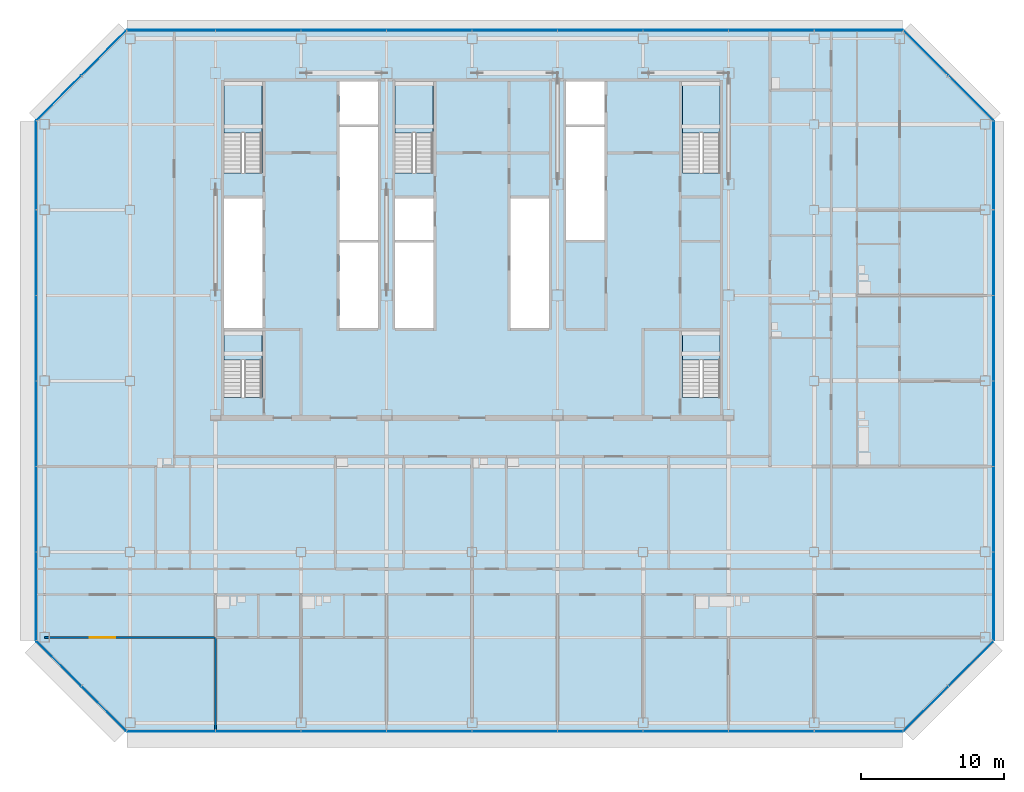
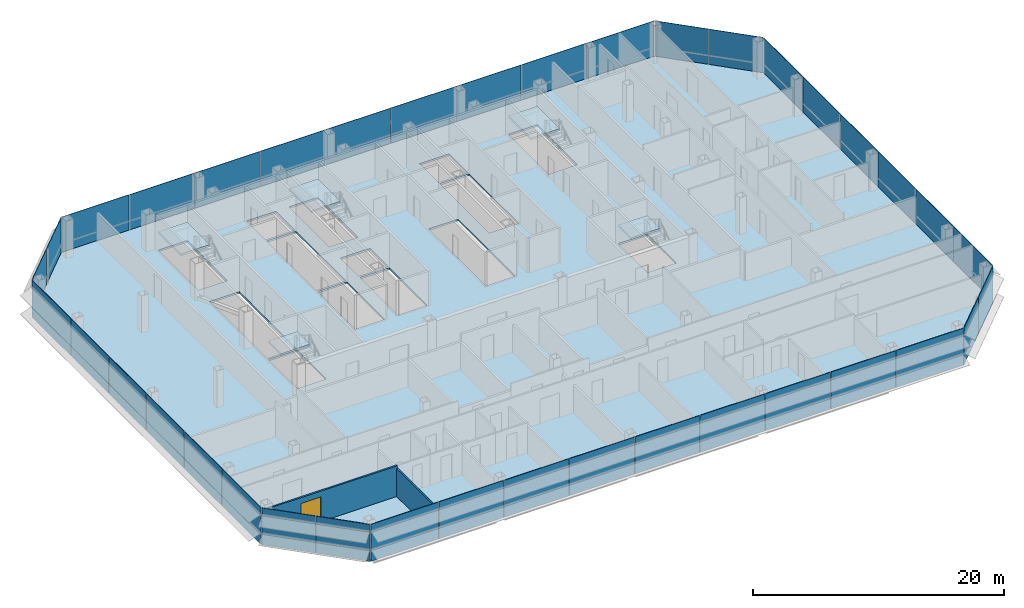
# One storey, part 18 of 26: 38 plates, 6 slabs, 2 walls, 1 door, 1 opening, 13 elements without a shape of their own.
"""IFC4 building model written with IfcOpenShell, lengths in metres."""

from ifc_helpers import new_model, si_unit, direction, frame, frame_2d, origin, origin_2d, place, context, subcontext, project, spatial, polyline, rectangle, outline, extrude, material, layer, layer_set, type_object, element, fill, aggregate, save


model = new_model("IFC4")

# Units and contexts
model_context = context("Model", 3, precision=1e-05, world=origin(), true_north=direction((0.0, 1.0)))
body_context = subcontext(model_context, "Body", "Model", "MODEL_VIEW")
ifc_project = project(units=[si_unit("LENGTHUNIT", "METRE"), si_unit("AREAUNIT", "SQUARE_METRE"), si_unit("VOLUMEUNIT", "CUBIC_METRE"), si_unit("PLANEANGLEUNIT", "RADIAN"), si_unit("MASSUNIT", "GRAM", prefix="KILO")], contexts=[model_context])

# Site, building, storey
site_placement = place(None, origin())
site = spatial("IfcSite", under=ifc_project, at=site_placement, CompositionType="ELEMENT")
building_placement = place(site_placement, origin())
building = spatial("IfcBuilding", under=site, at=building_placement, Name="Sorahane Residences", CompositionType="ELEMENT")
storey_placement = place(building_placement, frame((0.0, 0.0, 154.60009765625)))
storey = spatial("IfcBuildingStorey", under=building, at=storey_placement, Name="L35", CompositionType="ELEMENT", Elevation=154.60009765625)

# Slab
ifc_material_1 = material(Name="Concrete C35", Category="concrete")
ifc_layer_1 = layer(ifc_material_1, 0.179931640625)
ifc_layer_set_1 = layer_set([ifc_layer_1], Name="Composite floor slab 180 mm Concrete C35")
slab_type_1 = type_object("IfcSlabType", Name="Composite floor slab 180 mm Concrete C35", PredefinedType="FLOOR", material=ifc_layer_set_1)
slab_1_placement = place(storey_placement, frame((0.0, 0.0, -0.18017578125)))
element("IfcSlab", 1, at=slab_1_placement, inside=storey, type_object=slab_type_1, Name="Slab L35", PredefinedType="FLOOR", context=body_context, shape_type="SweptSolid", body=[
    extrude(outline(polyline([(-0.24853515625, -0.60009765625), (-6.60009765625, 5.75146484375), (-6.60009765625, 42.24853515625), (-0.24853515625, 48.60009765625), (54.24853515625, 48.60009765625), (60.60009765625, 42.24853515625), (60.60009765625, 5.75146484375), (54.24853515625, -0.60009765625), (-0.24853515625, -0.60009765625)]), holes=[polyline([(18.60009765625, 27.699951171875), (21.300048828125, 27.699951171875), (21.300048828125, 33.699951171875), (18.60009765625, 33.699951171875), (18.60009765625, 27.699951171875)]), polyline([(30.60009765625, 42.0), (33.300048828125, 42.0), (33.300048828125, 45.0), (30.60009765625, 45.0), (30.60009765625, 42.0)]), polyline([(14.699951171875, 27.699951171875), (17.39990234375, 27.699951171875), (17.39990234375, 33.699951171875), (14.699951171875, 33.699951171875), (14.699951171875, 27.699951171875)]), polyline([(14.699951171875, 42.0), (17.39990234375, 42.0), (17.39990234375, 45.0), (14.699951171875, 45.0), (14.699951171875, 42.0)]), polyline([(6.60009765625, 27.699951171875), (9.300048828125, 27.699951171875), (9.300048828125, 36.800048828125), (6.60009765625, 36.800048828125), (6.60009765625, 27.699951171875)]), polyline([(9.25, 38.60009765625), (9.25, 45.0), (6.60009765625, 45.0), (6.60009765625, 38.60009765625), (9.25, 38.60009765625)]), polyline([(41.39990234375, 38.60009765625), (41.39990234375, 45.0), (38.75, 45.0), (38.75, 38.60009765625), (41.39990234375, 38.60009765625)]), polyline([(21.25, 38.60009765625), (21.25, 45.0), (18.60009765625, 45.0), (18.60009765625, 38.60009765625), (21.25, 38.60009765625)]), polyline([(9.25, 22.85009765625), (9.25, 27.5), (6.60009765625, 27.5), (6.60009765625, 22.85009765625), (9.25, 22.85009765625)]), polyline([(41.39990234375, 22.85009765625), (41.39990234375, 27.5), (38.75, 27.5), (38.75, 22.85009765625), (41.39990234375, 22.85009765625)]), polyline([(14.699951171875, 33.89990234375), (17.39990234375, 33.89990234375), (17.39990234375, 41.800048828125), (14.699951171875, 41.800048828125), (14.699951171875, 33.89990234375)]), polyline([(30.60009765625, 33.89990234375), (33.300048828125, 33.89990234375), (33.300048828125, 41.800048828125), (30.60009765625, 41.800048828125), (30.60009765625, 33.89990234375)]), polyline([(18.60009765625, 33.89990234375), (21.300048828125, 33.89990234375), (21.300048828125, 36.800048828125), (18.60009765625, 36.800048828125), (18.60009765625, 33.89990234375)]), polyline([(26.699951171875, 27.699951171875), (29.39990234375, 27.699951171875), (29.39990234375, 36.800048828125), (26.699951171875, 36.800048828125), (26.699951171875, 27.699951171875)])]), origin(), (0.0, 0.0, 1.0), 0.18017578125),
])

# Curtain wall, plates
ifc_material_2 = material(Name="Dark low-e glass and black anodised aluminium", Category="aluminium")
curtain_wall_type_1 = type_object("IfcCurtainWallType", Name="Curtain wall CW-1 Typical unitised wall", PredefinedType="NOTDEFINED", material=ifc_material_2)
curtain_wall_1_placement = place(storey_placement, origin())
curtain_wall_1 = element("IfcCurtainWall", 2, at=curtain_wall_1_placement, inside=storey, type_object=curtain_wall_type_1, Name="CW-1 curtain wall L35 S1", PredefinedType="NOTDEFINED")
ifc_material_3 = material(Name="Dark low-e glass with black ceramic frit", Category="glass")
ifc_layer_2 = layer(ifc_material_3, 0.0400390625)
ifc_layer_set_2 = layer_set([ifc_layer_2], Name="Curtain wall glass panel dark low-e with black frit spandrel band")
plate_type = type_object("IfcPlateType", Name="Curtain wall glass panel dark low-e with black frit spandrel band", PredefinedType="CURTAIN_PANEL", material=ifc_layer_set_2)
plate_1_placement = place(storey_placement, frame((2.88818359375, -0.60009765625, -0.18017578125), z_axis=(0.0, 0.0, 1.0), x_axis=(1.0, 0.0, 0.0)))
plate_1 = element("IfcPlate", 3, at=plate_1_placement, type_object=plate_type, Name="CW-1 glass panel L35 S1.1", PredefinedType="CURTAIN_PANEL", context=body_context, shape_type="SweptSolid", body=[
    extrude(rectangle(XDim=6.173583984375, YDim=0.0400390625, at=origin_2d()), origin(), (0.0, 0.0, 1.0), 3.60009765625),
])
plate_2_placement = place(storey_placement, frame((9.0, -0.60009765625, -0.18017578125), z_axis=(0.0, 0.0, 1.0), x_axis=(1.0, 0.0, 0.0)))
plate_2 = element("IfcPlate", 4, at=plate_2_placement, type_object=plate_type, Name="CW-1 glass panel L35 S1.2", PredefinedType="CURTAIN_PANEL", context=body_context, shape_type="SweptSolid", body=[
    extrude(rectangle(XDim=5.949951171875, YDim=0.0400390625, at=origin_2d()), origin(), (0.0, 0.0, 1.0), 3.60009765625),
])
plate_3_placement = place(storey_placement, frame((15.0, -0.60009765625, -0.18017578125), z_axis=(0.0, 0.0, 1.0), x_axis=(1.0, 0.0, 0.0)))
plate_3 = element("IfcPlate", 5, at=plate_3_placement, type_object=plate_type, Name="CW-1 glass panel L35 S1.3", PredefinedType="CURTAIN_PANEL", context=body_context, shape_type="SweptSolid", body=[
    extrude(rectangle(XDim=5.949951171875, YDim=0.0400390625, at=origin_2d()), origin(), (0.0, 0.0, 1.0), 3.60009765625),
])
plate_4_placement = place(storey_placement, frame((21.0, -0.60009765625, -0.18017578125), z_axis=(0.0, 0.0, 1.0), x_axis=(1.0, 0.0, 0.0)))
plate_4 = element("IfcPlate", 6, at=plate_4_placement, type_object=plate_type, Name="CW-1 glass panel L35 S1.4", PredefinedType="CURTAIN_PANEL", context=body_context, shape_type="SweptSolid", body=[
    extrude(rectangle(XDim=5.949951171875, YDim=0.0400390625, at=origin_2d()), origin(), (0.0, 0.0, 1.0), 3.60009765625),
])
plate_5_placement = place(storey_placement, frame((27.0, -0.60009765625, -0.18017578125), z_axis=(0.0, 0.0, 1.0), x_axis=(1.0, 0.0, 0.0)))
plate_5 = element("IfcPlate", 7, at=plate_5_placement, type_object=plate_type, Name="CW-1 glass panel L35 S1.5", PredefinedType="CURTAIN_PANEL", context=body_context, shape_type="SweptSolid", body=[
    extrude(rectangle(XDim=5.949951171875, YDim=0.0400390625, at=origin_2d()), origin(), (0.0, 0.0, 1.0), 3.60009765625),
])
plate_6_placement = place(storey_placement, frame((33.0, -0.60009765625, -0.18017578125), z_axis=(0.0, 0.0, 1.0), x_axis=(1.0, 0.0, 0.0)))
plate_6 = element("IfcPlate", 8, at=plate_6_placement, type_object=plate_type, Name="CW-1 glass panel L35 S1.6", PredefinedType="CURTAIN_PANEL", context=body_context, shape_type="SweptSolid", body=[
    extrude(rectangle(XDim=5.949951171875, YDim=0.0400390625, at=origin_2d()), origin(), (0.0, 0.0, 1.0), 3.60009765625),
])
plate_7_placement = place(storey_placement, frame((39.0, -0.60009765625, -0.18017578125), z_axis=(0.0, 0.0, 1.0), x_axis=(1.0, 0.0, 0.0)))
plate_7 = element("IfcPlate", 9, at=plate_7_placement, type_object=plate_type, Name="CW-1 glass panel L35 S1.7", PredefinedType="CURTAIN_PANEL", context=body_context, shape_type="SweptSolid", body=[
    extrude(rectangle(XDim=5.949951171875, YDim=0.0400390625, at=origin_2d()), origin(), (0.0, 0.0, 1.0), 3.60009765625),
])
plate_8_placement = place(storey_placement, frame((45.0, -0.60009765625, -0.18017578125), z_axis=(0.0, 0.0, 1.0), x_axis=(1.0, 0.0, 0.0)))
plate_8 = element("IfcPlate", 10, at=plate_8_placement, type_object=plate_type, Name="CW-1 glass panel L35 S1.8", PredefinedType="CURTAIN_PANEL", context=body_context, shape_type="SweptSolid", body=[
    extrude(rectangle(XDim=5.949951171875, YDim=0.0400390625, at=origin_2d()), origin(), (0.0, 0.0, 1.0), 3.60009765625),
])
plate_9_placement = place(storey_placement, frame((51.11181640625, -0.60009765625, -0.18017578125), z_axis=(0.0, 0.0, 1.0), x_axis=(1.0, 0.0, 0.0)))
plate_9 = element("IfcPlate", 11, at=plate_9_placement, type_object=plate_type, Name="CW-1 glass panel L35 S1.9", PredefinedType="CURTAIN_PANEL", context=body_context, shape_type="SweptSolid", body=[
    extrude(rectangle(XDim=6.173583984375, YDim=0.0400390625, at=origin_2d()), origin(), (0.0, 0.0, 1.0), 3.60009765625),
])
aggregate(curtain_wall_1, [plate_1, plate_2, plate_3, plate_4, plate_5, plate_6, plate_7, plate_8, plate_9])

ifc_material_4 = material(Name="Dark low-e glass and black anodised aluminium", Category="aluminium")
curtain_wall_type_2 = type_object("IfcCurtainWallType", Name="Curtain wall CW-2 Chamfer unitised wall", PredefinedType="NOTDEFINED", material=ifc_material_4)
curtain_wall_2_placement = place(storey_placement, origin())
curtain_wall_2 = element("IfcCurtainWall", 12, at=curtain_wall_2_placement, inside=storey, type_object=curtain_wall_type_2, Name="CW-2 curtain wall L35 SE1", PredefinedType="NOTDEFINED")
plate_10_placement = place(storey_placement, frame((55.84521484375, 0.996826171875, -0.18017578125), z_axis=(0.0, 0.0, 1.0), x_axis=(0.707106781187, 0.707106781187, 0.0)))
plate_10 = element("IfcPlate", 13, at=plate_10_placement, type_object=plate_type, Name="CW-2 glass panel L35 SE1.1", PredefinedType="CURTAIN_PANEL", context=body_context, shape_type="SweptSolid", body=[
    extrude(rectangle(XDim=4.416259765625, YDim=0.0400390625, at=origin_2d()), origin(), (0.0, 0.0, 1.0), 3.60009765625),
])
plate_11_placement = place(storey_placement, frame((59.003173828125, 4.15478515625, -0.18017578125), z_axis=(0.0, 0.0, 1.0), x_axis=(0.707106781187, 0.707106781187, 0.0)))
plate_11 = element("IfcPlate", 14, at=plate_11_placement, type_object=plate_type, Name="CW-2 glass panel L35 SE1.2", PredefinedType="CURTAIN_PANEL", context=body_context, shape_type="SweptSolid", body=[
    extrude(rectangle(XDim=4.416259765625, YDim=0.0400390625, at=origin_2d()), origin(), (0.0, 0.0, 1.0), 3.60009765625),
])
aggregate(curtain_wall_2, [plate_10, plate_11])

curtain_wall_3_placement = place(storey_placement, origin())
curtain_wall_3 = element("IfcCurtainWall", 15, at=curtain_wall_3_placement, inside=storey, type_object=curtain_wall_type_1, Name="CW-1 curtain wall L35 E1", PredefinedType="NOTDEFINED")
plate_12_placement = place(storey_placement, frame((60.60009765625, 8.88818359375, -0.18017578125), z_axis=(0.0, 0.0, 1.0), x_axis=(0.0, 1.0, 0.0)))
plate_12 = element("IfcPlate", 16, at=plate_12_placement, type_object=plate_type, Name="CW-1 glass panel L35 E1.1", PredefinedType="CURTAIN_PANEL", context=body_context, shape_type="SweptSolid", body=[
    extrude(rectangle(XDim=6.173583984375, YDim=0.0400390625, at=origin_2d()), origin(), (0.0, 0.0, 1.0), 3.60009765625),
])
plate_13_placement = place(storey_placement, frame((60.60009765625, 15.0, -0.18017578125), z_axis=(0.0, 0.0, 1.0), x_axis=(0.0, 1.0, 0.0)))
plate_13 = element("IfcPlate", 17, at=plate_13_placement, type_object=plate_type, Name="CW-1 glass panel L35 E1.2", PredefinedType="CURTAIN_PANEL", context=body_context, shape_type="SweptSolid", body=[
    extrude(rectangle(XDim=5.949951171875, YDim=0.0400390625, at=origin_2d()), origin(), (0.0, 0.0, 1.0), 3.60009765625),
])
plate_14_placement = place(storey_placement, frame((60.60009765625, 21.0, -0.18017578125), z_axis=(0.0, 0.0, 1.0), x_axis=(0.0, 1.0, 0.0)))
plate_14 = element("IfcPlate", 18, at=plate_14_placement, type_object=plate_type, Name="CW-1 glass panel L35 E1.3", PredefinedType="CURTAIN_PANEL", context=body_context, shape_type="SweptSolid", body=[
    extrude(rectangle(XDim=5.949951171875, YDim=0.0400390625, at=origin_2d()), origin(), (0.0, 0.0, 1.0), 3.60009765625),
])
plate_15_placement = place(storey_placement, frame((60.60009765625, 27.0, -0.18017578125), z_axis=(0.0, 0.0, 1.0), x_axis=(0.0, 1.0, 0.0)))
plate_15 = element("IfcPlate", 19, at=plate_15_placement, type_object=plate_type, Name="CW-1 glass panel L35 E1.4", PredefinedType="CURTAIN_PANEL", context=body_context, shape_type="SweptSolid", body=[
    extrude(rectangle(XDim=5.949951171875, YDim=0.0400390625, at=origin_2d()), origin(), (0.0, 0.0, 1.0), 3.60009765625),
])
plate_16_placement = place(storey_placement, frame((60.60009765625, 33.0, -0.18017578125), z_axis=(0.0, 0.0, 1.0), x_axis=(0.0, 1.0, 0.0)))
plate_16 = element("IfcPlate", 20, at=plate_16_placement, type_object=plate_type, Name="CW-1 glass panel L35 E1.5", PredefinedType="CURTAIN_PANEL", context=body_context, shape_type="SweptSolid", body=[
    extrude(rectangle(XDim=5.949951171875, YDim=0.0400390625, at=origin_2d()), origin(), (0.0, 0.0, 1.0), 3.60009765625),
])
plate_17_placement = place(storey_placement, frame((60.60009765625, 39.11181640625, -0.18017578125), z_axis=(0.0, 0.0, 1.0), x_axis=(0.0, 1.0, 0.0)))
plate_17 = element("IfcPlate", 21, at=plate_17_placement, type_object=plate_type, Name="CW-1 glass panel L35 E1.6", PredefinedType="CURTAIN_PANEL", context=body_context, shape_type="SweptSolid", body=[
    extrude(rectangle(XDim=6.173583984375, YDim=0.0400390625, at=origin_2d()), origin(), (0.0, 0.0, 1.0), 3.60009765625),
])
aggregate(curtain_wall_3, [plate_12, plate_13, plate_14, plate_15, plate_16, plate_17])

curtain_wall_4_placement = place(storey_placement, origin())
curtain_wall_4 = element("IfcCurtainWall", 22, at=curtain_wall_4_placement, inside=storey, type_object=curtain_wall_type_2, Name="CW-2 curtain wall L35 NE1", PredefinedType="NOTDEFINED")
plate_18_placement = place(storey_placement, frame((59.003173828125, 43.84521484375, -0.18017578125), z_axis=(0.0, 0.0, 1.0), x_axis=(-0.707106781187, 0.707106781187, 0.0)))
plate_18 = element("IfcPlate", 23, at=plate_18_placement, type_object=plate_type, Name="CW-2 glass panel L35 NE1.1", PredefinedType="CURTAIN_PANEL", context=body_context, shape_type="SweptSolid", body=[
    extrude(rectangle(XDim=4.416259765625, YDim=0.0400390625, at=origin_2d()), origin(), (0.0, 0.0, 1.0), 3.60009765625),
])
plate_19_placement = place(storey_placement, frame((55.84521484375, 47.003173828125, -0.18017578125), z_axis=(0.0, 0.0, 1.0), x_axis=(-0.707106781187, 0.707106781187, 0.0)))
plate_19 = element("IfcPlate", 24, at=plate_19_placement, type_object=plate_type, Name="CW-2 glass panel L35 NE1.2", PredefinedType="CURTAIN_PANEL", context=body_context, shape_type="SweptSolid", body=[
    extrude(rectangle(XDim=4.416259765625, YDim=0.0400390625, at=origin_2d()), origin(), (0.0, 0.0, 1.0), 3.60009765625),
])
aggregate(curtain_wall_4, [plate_18, plate_19])

curtain_wall_5_placement = place(storey_placement, origin())
curtain_wall_5 = element("IfcCurtainWall", 25, at=curtain_wall_5_placement, inside=storey, type_object=curtain_wall_type_1, Name="CW-1 curtain wall L35 N1", PredefinedType="NOTDEFINED")
plate_20_placement = place(storey_placement, frame((51.11181640625, 48.60009765625, -0.18017578125), z_axis=(0.0, 0.0, 1.0), x_axis=(-1.0, 0.0, 0.0)))
plate_20 = element("IfcPlate", 26, at=plate_20_placement, type_object=plate_type, Name="CW-1 glass panel L35 N1.1", PredefinedType="CURTAIN_PANEL", context=body_context, shape_type="SweptSolid", body=[
    extrude(rectangle(XDim=6.173583984375, YDim=0.0400390625, at=origin_2d()), origin(), (0.0, 0.0, 1.0), 3.60009765625),
])
plate_21_placement = place(storey_placement, frame((45.0, 48.60009765625, -0.18017578125), z_axis=(0.0, 0.0, 1.0), x_axis=(-1.0, 0.0, 0.0)))
plate_21 = element("IfcPlate", 27, at=plate_21_placement, type_object=plate_type, Name="CW-1 glass panel L35 N1.2", PredefinedType="CURTAIN_PANEL", context=body_context, shape_type="SweptSolid", body=[
    extrude(rectangle(XDim=5.949951171875, YDim=0.0400390625, at=origin_2d()), origin(), (0.0, 0.0, 1.0), 3.60009765625),
])
plate_22_placement = place(storey_placement, frame((39.0, 48.60009765625, -0.18017578125), z_axis=(0.0, 0.0, 1.0), x_axis=(-1.0, 0.0, 0.0)))
plate_22 = element("IfcPlate", 28, at=plate_22_placement, type_object=plate_type, Name="CW-1 glass panel L35 N1.3", PredefinedType="CURTAIN_PANEL", context=body_context, shape_type="SweptSolid", body=[
    extrude(rectangle(XDim=5.949951171875, YDim=0.0400390625, at=origin_2d()), origin(), (0.0, 0.0, 1.0), 3.60009765625),
])
plate_23_placement = place(storey_placement, frame((33.0, 48.60009765625, -0.18017578125), z_axis=(0.0, 0.0, 1.0), x_axis=(-1.0, 0.0, 0.0)))
plate_23 = element("IfcPlate", 29, at=plate_23_placement, type_object=plate_type, Name="CW-1 glass panel L35 N1.4", PredefinedType="CURTAIN_PANEL", context=body_context, shape_type="SweptSolid", body=[
    extrude(rectangle(XDim=5.949951171875, YDim=0.0400390625, at=origin_2d()), origin(), (0.0, 0.0, 1.0), 3.60009765625),
])
plate_24_placement = place(storey_placement, frame((27.0, 48.60009765625, -0.18017578125), z_axis=(0.0, 0.0, 1.0), x_axis=(-1.0, 0.0, 0.0)))
plate_24 = element("IfcPlate", 30, at=plate_24_placement, type_object=plate_type, Name="CW-1 glass panel L35 N1.5", PredefinedType="CURTAIN_PANEL", context=body_context, shape_type="SweptSolid", body=[
    extrude(rectangle(XDim=5.949951171875, YDim=0.0400390625, at=origin_2d()), origin(), (0.0, 0.0, 1.0), 3.60009765625),
])
plate_25_placement = place(storey_placement, frame((21.0, 48.60009765625, -0.18017578125), z_axis=(0.0, 0.0, 1.0), x_axis=(-1.0, 0.0, 0.0)))
plate_25 = element("IfcPlate", 31, at=plate_25_placement, type_object=plate_type, Name="CW-1 glass panel L35 N1.6", PredefinedType="CURTAIN_PANEL", context=body_context, shape_type="SweptSolid", body=[
    extrude(rectangle(XDim=5.949951171875, YDim=0.0400390625, at=origin_2d()), origin(), (0.0, 0.0, 1.0), 3.60009765625),
])
plate_26_placement = place(storey_placement, frame((15.0, 48.60009765625, -0.18017578125), z_axis=(0.0, 0.0, 1.0), x_axis=(-1.0, 0.0, 0.0)))
plate_26 = element("IfcPlate", 32, at=plate_26_placement, type_object=plate_type, Name="CW-1 glass panel L35 N1.7", PredefinedType="CURTAIN_PANEL", context=body_context, shape_type="SweptSolid", body=[
    extrude(rectangle(XDim=5.949951171875, YDim=0.0400390625, at=origin_2d()), origin(), (0.0, 0.0, 1.0), 3.60009765625),
])
plate_27_placement = place(storey_placement, frame((9.0, 48.60009765625, -0.18017578125), z_axis=(0.0, 0.0, 1.0), x_axis=(-1.0, 0.0, 0.0)))
plate_27 = element("IfcPlate", 33, at=plate_27_placement, type_object=plate_type, Name="CW-1 glass panel L35 N1.8", PredefinedType="CURTAIN_PANEL", context=body_context, shape_type="SweptSolid", body=[
    extrude(rectangle(XDim=5.949951171875, YDim=0.0400390625, at=origin_2d()), origin(), (0.0, 0.0, 1.0), 3.60009765625),
])
plate_28_placement = place(storey_placement, frame((2.88818359375, 48.60009765625, -0.18017578125), z_axis=(0.0, 0.0, 1.0), x_axis=(-1.0, 0.0, 0.0)))
plate_28 = element("IfcPlate", 34, at=plate_28_placement, type_object=plate_type, Name="CW-1 glass panel L35 N1.9", PredefinedType="CURTAIN_PANEL", context=body_context, shape_type="SweptSolid", body=[
    extrude(rectangle(XDim=6.173583984375, YDim=0.0400390625, at=origin_2d()), origin(), (0.0, 0.0, 1.0), 3.60009765625),
])
aggregate(curtain_wall_5, [plate_20, plate_21, plate_22, plate_23, plate_24, plate_25, plate_26, plate_27, plate_28])

curtain_wall_6_placement = place(storey_placement, origin())
curtain_wall_6 = element("IfcCurtainWall", 35, at=curtain_wall_6_placement, inside=storey, type_object=curtain_wall_type_2, Name="CW-2 curtain wall L35 NW1", PredefinedType="NOTDEFINED")
plate_29_placement = place(storey_placement, frame((-1.84521484375, 47.003173828125, -0.18017578125), z_axis=(0.0, 0.0, 1.0), x_axis=(-0.707106781187, -0.707106781187, 0.0)))
plate_29 = element("IfcPlate", 36, at=plate_29_placement, type_object=plate_type, Name="CW-2 glass panel L35 NW1.1", PredefinedType="CURTAIN_PANEL", context=body_context, shape_type="SweptSolid", body=[
    extrude(rectangle(XDim=4.416259765625, YDim=0.0400390625, at=origin_2d()), origin(), (0.0, 0.0, 1.0), 3.60009765625),
])
plate_30_placement = place(storey_placement, frame((-5.003173828125, 43.84521484375, -0.18017578125), z_axis=(0.0, 0.0, 1.0), x_axis=(-0.707106781187, -0.707106781187, 0.0)))
plate_30 = element("IfcPlate", 37, at=plate_30_placement, type_object=plate_type, Name="CW-2 glass panel L35 NW1.2", PredefinedType="CURTAIN_PANEL", context=body_context, shape_type="SweptSolid", body=[
    extrude(rectangle(XDim=4.416259765625, YDim=0.0400390625, at=origin_2d()), origin(), (0.0, 0.0, 1.0), 3.60009765625),
])
aggregate(curtain_wall_6, [plate_29, plate_30])

curtain_wall_7_placement = place(storey_placement, origin())
curtain_wall_7 = element("IfcCurtainWall", 38, at=curtain_wall_7_placement, inside=storey, type_object=curtain_wall_type_1, Name="CW-1 curtain wall L35 W1", PredefinedType="NOTDEFINED")
plate_31_placement = place(storey_placement, frame((-6.60009765625, 39.11181640625, -0.18017578125), z_axis=(0.0, 0.0, 1.0), x_axis=(0.0, -1.0, 0.0)))
plate_31 = element("IfcPlate", 39, at=plate_31_placement, type_object=plate_type, Name="CW-1 glass panel L35 W1.1", PredefinedType="CURTAIN_PANEL", context=body_context, shape_type="SweptSolid", body=[
    extrude(rectangle(XDim=6.173583984375, YDim=0.0400390625, at=origin_2d()), origin(), (0.0, 0.0, 1.0), 3.60009765625),
])
plate_32_placement = place(storey_placement, frame((-6.60009765625, 33.0, -0.18017578125), z_axis=(0.0, 0.0, 1.0), x_axis=(0.0, -1.0, 0.0)))
plate_32 = element("IfcPlate", 40, at=plate_32_placement, type_object=plate_type, Name="CW-1 glass panel L35 W1.2", PredefinedType="CURTAIN_PANEL", context=body_context, shape_type="SweptSolid", body=[
    extrude(rectangle(XDim=5.949951171875, YDim=0.0400390625, at=origin_2d()), origin(), (0.0, 0.0, 1.0), 3.60009765625),
])
plate_33_placement = place(storey_placement, frame((-6.60009765625, 27.0, -0.18017578125), z_axis=(0.0, 0.0, 1.0), x_axis=(0.0, -1.0, 0.0)))
plate_33 = element("IfcPlate", 41, at=plate_33_placement, type_object=plate_type, Name="CW-1 glass panel L35 W1.3", PredefinedType="CURTAIN_PANEL", context=body_context, shape_type="SweptSolid", body=[
    extrude(rectangle(XDim=5.949951171875, YDim=0.0400390625, at=origin_2d()), origin(), (0.0, 0.0, 1.0), 3.60009765625),
])
plate_34_placement = place(storey_placement, frame((-6.60009765625, 21.0, -0.18017578125), z_axis=(0.0, 0.0, 1.0), x_axis=(0.0, -1.0, 0.0)))
plate_34 = element("IfcPlate", 42, at=plate_34_placement, type_object=plate_type, Name="CW-1 glass panel L35 W1.4", PredefinedType="CURTAIN_PANEL", context=body_context, shape_type="SweptSolid", body=[
    extrude(rectangle(XDim=5.949951171875, YDim=0.0400390625, at=origin_2d()), origin(), (0.0, 0.0, 1.0), 3.60009765625),
])
plate_35_placement = place(storey_placement, frame((-6.60009765625, 15.0, -0.18017578125), z_axis=(0.0, 0.0, 1.0), x_axis=(0.0, -1.0, 0.0)))
plate_35 = element("IfcPlate", 43, at=plate_35_placement, type_object=plate_type, Name="CW-1 glass panel L35 W1.5", PredefinedType="CURTAIN_PANEL", context=body_context, shape_type="SweptSolid", body=[
    extrude(rectangle(XDim=5.949951171875, YDim=0.0400390625, at=origin_2d()), origin(), (0.0, 0.0, 1.0), 3.60009765625),
])
plate_36_placement = place(storey_placement, frame((-6.60009765625, 8.88818359375, -0.18017578125), z_axis=(0.0, 0.0, 1.0), x_axis=(0.0, -1.0, 0.0)))
plate_36 = element("IfcPlate", 44, at=plate_36_placement, type_object=plate_type, Name="CW-1 glass panel L35 W1.6", PredefinedType="CURTAIN_PANEL", context=body_context, shape_type="SweptSolid", body=[
    extrude(rectangle(XDim=6.173583984375, YDim=0.0400390625, at=origin_2d()), origin(), (0.0, 0.0, 1.0), 3.60009765625),
])
aggregate(curtain_wall_7, [plate_31, plate_32, plate_33, plate_34, plate_35, plate_36])

curtain_wall_8_placement = place(storey_placement, origin())
curtain_wall_8 = element("IfcCurtainWall", 45, at=curtain_wall_8_placement, inside=storey, type_object=curtain_wall_type_2, Name="CW-2 curtain wall L35 SW1", PredefinedType="NOTDEFINED")
plate_37_placement = place(storey_placement, frame((-5.003173828125, 4.15478515625, -0.18017578125), z_axis=(0.0, 0.0, 1.0), x_axis=(0.707106781187, -0.707106781187, 0.0)))
plate_37 = element("IfcPlate", 46, at=plate_37_placement, type_object=plate_type, Name="CW-2 glass panel L35 SW1.1", PredefinedType="CURTAIN_PANEL", context=body_context, shape_type="SweptSolid", body=[
    extrude(rectangle(XDim=4.416259765625, YDim=0.0400390625, at=origin_2d()), origin(), (0.0, 0.0, 1.0), 3.60009765625),
])
plate_38_placement = place(storey_placement, frame((-1.84521484375, 0.996826171875, -0.18017578125), z_axis=(0.0, 0.0, 1.0), x_axis=(0.707106781187, -0.707106781187, 0.0)))
plate_38 = element("IfcPlate", 47, at=plate_38_placement, type_object=plate_type, Name="CW-2 glass panel L35 SW1.2", PredefinedType="CURTAIN_PANEL", context=body_context, shape_type="SweptSolid", body=[
    extrude(rectangle(XDim=4.416259765625, YDim=0.0400390625, at=origin_2d()), origin(), (0.0, 0.0, 1.0), 3.60009765625),
])
aggregate(curtain_wall_8, [plate_37, plate_38])

# Stair, slab
ifc_material_5 = material(Name="Concrete C40", Category="concrete")
stair_type = type_object("IfcStairType", Name="Dog-leg stair 1250 Concrete C40", PredefinedType="HALF_TURN_STAIR", material=ifc_material_5)
stair_1_placement = place(storey_placement, origin())
stair_1 = element("IfcStair", 48, at=stair_1_placement, inside=storey, type_object=stair_type, Name="L35 Stair S1", PredefinedType="HALF_TURN_STAIR")
ifc_material_6 = material(Name="Concrete C40", Category="concrete")
ifc_layer_3 = layer(ifc_material_6, 0.199951171875)
ifc_layer_set_3 = layer_set([ifc_layer_3], Name="Stair landing 200 Concrete C40")
slab_type_2 = type_object("IfcSlabType", Name="Stair landing 200 Concrete C40", PredefinedType="LANDING", material=ifc_layer_set_3)
slab_2_placement = place(storey_placement, frame((0.0, 0.0, 1.599853515625)))
slab_2 = element("IfcSlab", 49, at=slab_2_placement, type_object=slab_type_2, Name="S1 landing 1", PredefinedType="LANDING", context=body_context, shape_type="SweptSolid", body=[
    extrude(outline(polyline([(9.25, 41.39990234375), (9.25, 45.0), (6.60009765625, 45.0), (6.60009765625, 41.39990234375), (9.25, 41.39990234375)])), origin(), (0.0, 0.0, 1.0), 0.199951171875),
])
aggregate(stair_1, [slab_2])

stair_2_placement = place(storey_placement, origin())
stair_2 = element("IfcStair", 50, at=stair_2_placement, inside=storey, type_object=stair_type, Name="L35 Stair S2", PredefinedType="HALF_TURN_STAIR")
slab_3_placement = place(storey_placement, frame((0.0, 0.0, 1.599853515625)))
slab_3 = element("IfcSlab", 51, at=slab_3_placement, type_object=slab_type_2, Name="S2 landing 1", PredefinedType="LANDING", context=body_context, shape_type="SweptSolid", body=[
    extrude(outline(polyline([(41.39990234375, 41.39990234375), (41.39990234375, 45.0), (38.75, 45.0), (38.75, 41.39990234375), (41.39990234375, 41.39990234375)])), origin(), (0.0, 0.0, 1.0), 0.199951171875),
])
aggregate(stair_2, [slab_3])

stair_3_placement = place(storey_placement, origin())
stair_3 = element("IfcStair", 52, at=stair_3_placement, inside=storey, type_object=stair_type, Name="L35 Stair S3", PredefinedType="HALF_TURN_STAIR")
slab_4_placement = place(storey_placement, frame((0.0, 0.0, 1.599853515625)))
slab_4 = element("IfcSlab", 53, at=slab_4_placement, type_object=slab_type_2, Name="S3 landing 1", PredefinedType="LANDING", context=body_context, shape_type="SweptSolid", body=[
    extrude(outline(polyline([(21.25, 41.39990234375), (21.25, 45.0), (18.60009765625, 45.0), (18.60009765625, 41.39990234375), (21.25, 41.39990234375)])), origin(), (0.0, 0.0, 1.0), 0.199951171875),
])
aggregate(stair_3, [slab_4])

stair_4_placement = place(storey_placement, origin())
stair_4 = element("IfcStair", 54, at=stair_4_placement, inside=storey, type_object=stair_type, Name="L35 Stair S4", PredefinedType="HALF_TURN_STAIR")
slab_5_placement = place(storey_placement, frame((0.0, 0.0, 1.599853515625)))
slab_5 = element("IfcSlab", 55, at=slab_5_placement, type_object=slab_type_2, Name="S4 landing 1", PredefinedType="LANDING", context=body_context, shape_type="SweptSolid", body=[
    extrude(outline(polyline([(9.25, 25.449951171875), (9.25, 27.5), (6.60009765625, 27.5), (6.60009765625, 25.449951171875), (9.25, 25.449951171875)])), origin(), (0.0, 0.0, 1.0), 0.199951171875),
])
aggregate(stair_4, [slab_5])

stair_5_placement = place(storey_placement, origin())
stair_5 = element("IfcStair", 56, at=stair_5_placement, inside=storey, type_object=stair_type, Name="L35 Stair S5", PredefinedType="HALF_TURN_STAIR")
slab_6_placement = place(storey_placement, frame((0.0, 0.0, 1.599853515625)))
slab_6 = element("IfcSlab", 57, at=slab_6_placement, type_object=slab_type_2, Name="S5 landing 1", PredefinedType="LANDING", context=body_context, shape_type="SweptSolid", body=[
    extrude(outline(polyline([(41.39990234375, 25.449951171875), (41.39990234375, 27.5), (38.75, 27.5), (38.75, 25.449951171875), (41.39990234375, 25.449951171875)])), origin(), (0.0, 0.0, 1.0), 0.199951171875),
])
aggregate(stair_5, [slab_6])

# Wall
ifc_material_7 = material(Name="Gypsum board partition on steel studs", Category="steel")
ifc_layer_4 = layer(ifc_material_7, 0.14990234375)
ifc_layer_set_4 = layer_set([ifc_layer_4], Name="Partition 150 EI 90")
wall_type = type_object("IfcWallType", Name="Partition 150 EI 90", PredefinedType="PARTITIONING", material=ifc_layer_set_4)
wall_1_placement = place(storey_placement, frame((6.0, -0.60009765625, 0.0), z_axis=(0.0, 0.0, 1.0), x_axis=(0.0, 1.0, 0.0)))
element("IfcWall", 58, at=wall_1_placement, inside=storey, type_object=wall_type, Name="L35 partition", PredefinedType="PARTITIONING", context=body_context, shape_type="SweptSolid", body=[
    extrude(rectangle(XDim=6.60009765625, YDim=0.14990234375, at=frame_2d((3.300048828125, 0.0))), origin(), (0.0, 0.0, 1.0), 2.719970703125),
])

# Wall, opening, door
wall_2_placement = place(storey_placement, frame((-6.0, 6.0, 0.0), z_axis=(0.0, 0.0, 1.0), x_axis=(1.0, 0.0, 0.0)))
wall_2 = element("IfcWall", 59, at=wall_2_placement, inside=storey, type_object=wall_type, Name="L35 partition", PredefinedType="PARTITIONING", context=body_context, shape_type="SweptSolid", body=[
    extrude(rectangle(XDim=12.0, YDim=0.14990234375, at=frame_2d((6.0, 0.0))), origin(), (0.0, 0.0, 1.0), 2.969970703125),
])
opening_placement = place(wall_2_placement, frame((3.159912109375, 0.0, 0.0)))
opening = element("IfcOpeningElement", 60, at=opening_placement, cuts=wall_2, Name="Opening L35-10", PredefinedType="OPENING", context=body_context, shape_type="SweptSolid", body=[
    extrude(rectangle(XDim=1.800048828125, YDim=2.39990234375, at=frame_2d((0.89990234375, 1.199951171875))), frame((0.0, 0.0849609375, 0.0), z_axis=(0.0, -1.0, 0.0), x_axis=(1.0, 0.0, 0.0)), (0.0, 0.0, 1.0), 0.169921875),
])
ifc_material_8 = material(Name="Timber veneered fire door", Category="wood")
door_type = type_object("IfcDoorType", Name="Double door 1800x2400 FD30", OperationType="NOTDEFINED", PredefinedType="DOOR", material=ifc_material_8)
door_placement = place(opening_placement, frame((1.800048828125, 0.0, 0.0), z_axis=(0.0, 0.0, 1.0), x_axis=(-1.0, 0.0, 0.0)))
door = element("IfcDoor", 61, at=door_placement, inside=storey, type_object=door_type, Name="Double door L35-10", OperationType="SINGLE_SWING_LEFT", OverallHeight=2.39990234375, OverallWidth=1.800048828125, PredefinedType="DOOR", context=body_context, shape_type="SweptSolid", body=[
    extrude(rectangle(XDim=1.800048828125, YDim=2.39990234375, at=frame_2d((0.89990234375, 1.199951171875))), frame((0.0, 0.02490234375, 0.0), z_axis=(0.0, -1.0, 0.0), x_axis=(1.0, 0.0, 0.0)), (0.0, 0.0, 1.0), 0.050048828125),
])
fill(opening, door)

save(model, "model.ifc")
